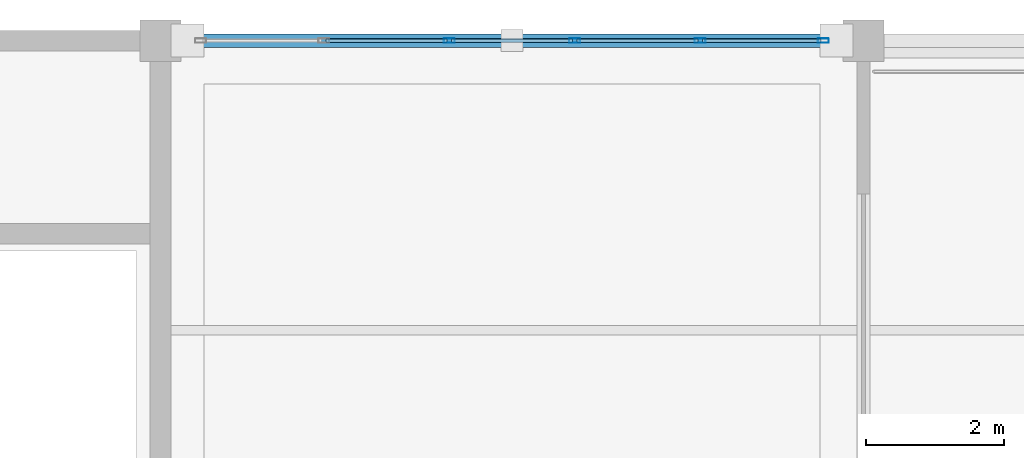
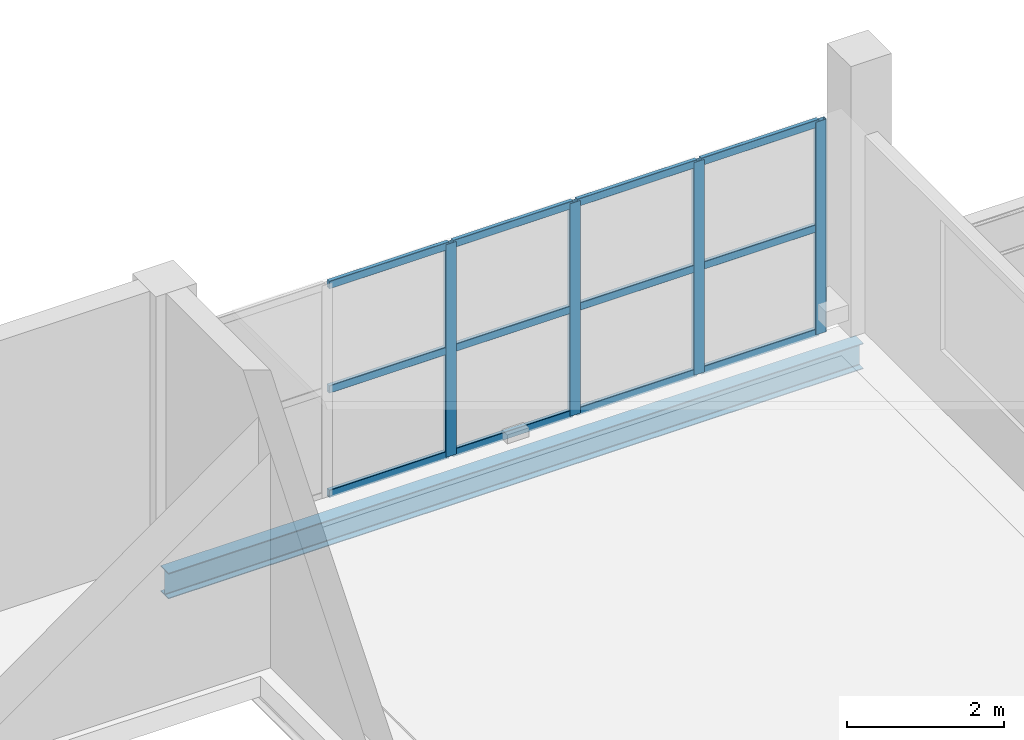
# One storey, part 8 of 12: 16 members, 1 beam, 1 element without a shape of its own.
"""IFC4 building model written with IfcOpenShell, lengths in metres."""

import ifcopenshell
import ifcopenshell.guid

model = None  # the IFC model being written
_history = None  # IfcOwnerHistory: only IFC2X3 demands one
_inside = {}  # id of a spatial element -> (the spatial element, [elements in it])
_under = {}  # id of a project, library or spatial element -> (it, [spatial elements below it])
_declared = {}  # id of a project -> (the project, [libraries it declares])
_typed = {}  # id of a type object -> (the type object, [elements of that type])
_made_of = {}  # id of a material, layer set ... -> (it, [elements and type objects made of it])


def new_model(schema):
    """Start an empty IFC model of exactly this schema.

    Asked for "IFC4X3", IfcOpenShell would pick the latest addendum, in which some entities
    have other attributes; the version numbers below select the first issue.
    IFC2X3 requires an IfcOwnerHistory on every rooted entity: one is made here for all.
    """
    global model, _history
    if schema == "IFC4X3":
        model = ifcopenshell.file(schema_version=(4, 3, 0, 0))
    else:
        model = ifcopenshell.file(schema=schema)
    _inside.clear()
    _under.clear()
    _declared.clear()
    _typed.clear()
    _made_of.clear()
    _history = None
    if model.schema == "IFC2X3":
        org = make("IfcOrganization", Name="unknown")
        user = make(
            "IfcPersonAndOrganization",
            ThePerson=make("IfcPerson", FamilyName="unknown"),
            TheOrganization=org,
        )
        app = make(
            "IfcApplication",
            ApplicationDeveloper=org,
            Version="unknown",
            ApplicationFullName="unknown",
            ApplicationIdentifier="unknown",
        )
        _history = make(
            "IfcOwnerHistory",
            OwningUser=user,
            OwningApplication=app,
            ChangeAction="ADDED",
            CreationDate=0,
        )
    return model


def make(cls, **values):
    """One entity of the class cls with the attributes given. An attribute that is None is left unset."""
    return model.create_entity(
        cls, **{name: value for name, value in values.items() if value is not None}
    )


def rooted(cls, **values):
    """An entity with a GlobalId (a new one), such as an element, a storey or a relation."""
    return make(cls, GlobalId=ifcopenshell.guid.new(), OwnerHistory=_history, **values)


def si_unit(unit_type, name, prefix=None):
    """IfcSIUnit, for example si_unit("LENGTHUNIT", "METRE", prefix="MILLI")."""
    return make("IfcSIUnit", UnitType=unit_type, Prefix=prefix, Name=name)


def assignment(units):
    """IfcUnitAssignment: the units of a project."""
    return None if units is None else make("IfcUnitAssignment", Units=units)


def point(xyz):
    """IfcCartesianPoint."""
    return None if xyz is None else make("IfcCartesianPoint", Coordinates=xyz)


def direction(xyz):
    """IfcDirection."""
    return None if xyz is None else make("IfcDirection", DirectionRatios=xyz)


def frame(location, z_axis=None, x_axis=None):
    """IfcAxis2Placement3D, a coordinate frame: its origin and axes. An axis left out is left unset."""
    return make(
        "IfcAxis2Placement3D",
        Location=point(location),
        Axis=direction(z_axis),
        RefDirection=direction(x_axis),
    )


def frame_2d(location, x_axis=None):
    """IfcAxis2Placement2D, a coordinate frame in the plane: its origin and x axis."""
    return make(
        "IfcAxis2Placement2D", Location=point(location), RefDirection=direction(x_axis)
    )


def origin():
    """The frame at (0, 0, 0) with its axes left unset."""
    return frame((0.0, 0.0, 0.0))


def origin_2d():
    """The frame at (0, 0) in the plane with its x axis left unset."""
    return frame_2d((0.0, 0.0))


def place(relative_to, where):
    """IfcLocalPlacement: puts the frame where relative to a parent placement (None: the world)."""
    return make(
        "IfcLocalPlacement", PlacementRelTo=relative_to, RelativePlacement=where
    )


def context(
    kind, dimensions, precision=None, world=None, true_north=None, identifier=None
):
    """IfcGeometricRepresentationContext, for example the 3D "Model" context."""
    return make(
        "IfcGeometricRepresentationContext",
        ContextIdentifier=identifier,
        ContextType=kind,
        CoordinateSpaceDimension=dimensions,
        Precision=precision,
        WorldCoordinateSystem=world,
        TrueNorth=true_north,
    )


def subcontext(parent, identifier, kind, view, scale=None):
    """IfcGeometricRepresentationSubContext, for example "Body" below "Model"."""
    return make(
        "IfcGeometricRepresentationSubContext",
        ContextIdentifier=identifier,
        ContextType=kind,
        ParentContext=parent,
        TargetScale=scale,
        TargetView=view,
    )


def project(units=None, contexts=None):
    """IfcProject with its units and contexts."""
    return rooted(
        "IfcProject",
        Name="project",
        RepresentationContexts=contexts,
        UnitsInContext=assignment(units),
    )


def spatial(cls, under=None, at=None, **own):
    """A site, building, storey or space (cls), placed at a placement, below another one or the project."""
    s = rooted(cls, ObjectPlacement=at, **own)
    if under is not None:
        _under.setdefault(under.id(), (under, []))[1].append(s)
    return s


def profile(cls, at=None, kind="AREA", **sizes):
    """A parametric profile (cls). Its sizes go by their IFC names, for example OverallWidth=200.0."""
    return make(cls, ProfileType=kind, Position=at, **sizes)


def hollow_rectangle(**sizes):
    """IfcRectangleHollowProfileDef."""
    return profile("IfcRectangleHollowProfileDef", **sizes)


def i_section(**sizes):
    """IfcIShapeProfileDef."""
    return profile("IfcIShapeProfileDef", **sizes)


def extrude(swept, where, along, depth):
    """IfcExtrudedAreaSolid: the profile swept, set in the frame where, extruded along a direction by depth."""
    return make(
        "IfcExtrudedAreaSolid",
        SweptArea=swept,
        Position=where,
        ExtrudedDirection=direction(along),
        Depth=depth,
    )


def shape(context_of_items, identifier, shape_type, items):
    """IfcShapeRepresentation: the items that make up one representation, for example the "Body"."""
    return make(
        "IfcShapeRepresentation",
        ContextOfItems=context_of_items,
        RepresentationIdentifier=identifier,
        RepresentationType=shape_type,
        Items=items,
    )


def material(Name=None, Category=None):
    """IfcMaterial."""
    return make("IfcMaterial", Name=Name, Category=Category)


def material_profile(
    of_material, cross_section, Name=None, Category=None, Priority=None
):
    """IfcMaterialProfile: a cross section and its material."""
    return make(
        "IfcMaterialProfile",
        Name=Name,
        Material=of_material,
        Profile=cross_section,
        Priority=Priority,
        Category=Category,
    )


def profile_set(profiles, Name=None, composite=None):
    """IfcMaterialProfileSet."""
    return make(
        "IfcMaterialProfileSet",
        Name=Name,
        MaterialProfiles=profiles,
        CompositeProfile=composite,
    )


def made_of(thing, what):
    """Note that an element or type object is made of a material, layer set ...; save() writes the relation."""
    if what is not None:
        _made_of.setdefault(what.id(), (what, []))[1].append(thing)
    return thing


def type_object(cls, material=None, **own):
    """A type object (cls), such as IfcWallType, which elements share."""
    return made_of(rooted(cls, **own), material)


def element(
    cls,
    number,
    at=None,
    inside=None,
    cuts=None,
    type_object=None,
    material=None,
    context=None,
    identifier="Body",
    shape_type=None,
    held_by="IfcProductDefinitionShape",
    body=None,
    shapes=None,
    **own,
):
    """One element of the class cls, such as IfcWall. Its Tag is "e" and its number.

    at: its placement. inside: the storey or other place that contains it. cuts: it is an
    opening in that element (IfcRelVoidsElement). A single representation is given by context,
    identifier, shape_type and body (its items); several are given by shapes. held_by: the class
    of the entity that holds the representations. save() writes the other relations.
    """
    e = rooted(cls, Tag="e%d" % number, ObjectPlacement=at, **own)
    if body is not None:
        shapes = [shape(context, identifier, shape_type, body)]
    if shapes is not None:
        e.Representation = make(held_by, Representations=shapes)
    if inside is not None:
        _inside.setdefault(inside.id(), (inside, []))[1].append(e)
    if cuts is not None:
        rooted(
            "IfcRelVoidsElement", RelatingBuildingElement=cuts, RelatedOpeningElement=e
        )
    if type_object is not None:
        _typed.setdefault(type_object.id(), (type_object, []))[1].append(e)
    return made_of(e, material)


def aggregate(whole, parts):
    """IfcRelAggregates: a whole, such as a stair, and the parts it consists of."""
    return rooted("IfcRelAggregates", RelatingObject=whole, RelatedObjects=parts)


def save(model, path):
    """Write the relations noted so far, then the file.

    IfcRelAggregates (storeys below a building ...), IfcRelContainedInSpatialStructure (elements
    in a storey), IfcRelDefinesByType, IfcRelAssociatesMaterial and IfcRelDeclares: one each for
    every whole, place, type object, material and project.
    """
    for whole, parts in _under.values():
        aggregate(whole, parts)
    for where, things in _inside.values():
        rooted(
            "IfcRelContainedInSpatialStructure",
            RelatedElements=things,
            RelatingStructure=where,
        )
    for kind, things in _typed.values():
        rooted("IfcRelDefinesByType", RelatedObjects=things, RelatingType=kind)
    for what, things in _made_of.values():
        rooted("IfcRelAssociatesMaterial", RelatedObjects=things, RelatingMaterial=what)
    for by, libraries in _declared.values():
        rooted("IfcRelDeclares", RelatingContext=by, RelatedDefinitions=libraries)
    model.write(path)


model = new_model("IFC4")

# Units and contexts
model_context = context("Model", 3, precision=1e-05, world=origin(), true_north=direction((0.0, 1.0)))
body_context = subcontext(model_context, "Body", "Model", "MODEL_VIEW")
ifc_project = project(units=[si_unit("LENGTHUNIT", "METRE"), si_unit("AREAUNIT", "SQUARE_METRE"), si_unit("VOLUMEUNIT", "CUBIC_METRE"), si_unit("PLANEANGLEUNIT", "RADIAN"), si_unit("MASSUNIT", "GRAM", prefix="KILO")], contexts=[model_context])

# Site, building, storey
site_placement = place(None, origin())
site = spatial("IfcSite", under=ifc_project, at=site_placement, CompositionType="ELEMENT")
building_placement = place(site_placement, origin())
building = spatial("IfcBuilding", under=site, at=building_placement, Name="Brelvane Convention Centre", CompositionType="ELEMENT")
storey_placement = place(building_placement, frame((0.0, 0.0, 23.39990234375)))
storey = spatial("IfcBuildingStorey", under=building, at=storey_placement, Name="L05", CompositionType="ELEMENT", Elevation=23.39990234375)

# Curtain wall, members
ifc_material_1 = material(Name="Anodised Aluminium Alloy 6063-T6", Category="aluminium")
curtain_wall_type = type_object("IfcCurtainWallType", Name="Curtain Wall CW-BOUL", PredefinedType="USERDEFINED", material=ifc_material_1)
curtain_wall_placement = place(storey_placement, origin())
curtain_wall = element("IfcCurtainWall", 1, at=curtain_wall_placement, inside=storey, type_object=curtain_wall_type, Name="Curtain Wall CW-BOUL L05-V4N-04", ObjectType="UNITISED", PredefinedType="USERDEFINED")
ifc_material_2 = material(Name="Anodised Aluminium Alloy 6063-T6", Category="aluminium")
ifc_material_profile_1 = material_profile(ifc_material_2, hollow_rectangle(XDim=0.06494140625, YDim=0.159912109375, WallThickness=0.00390625, InnerFilletRadius=0.00390625, OuterFilletRadius=0.008056640625, at=origin_2d()), Name="ALU-M 160x65x4.0")
ifc_profile_set_1 = profile_set([ifc_material_profile_1], Name="Anodised Aluminium Alloy 6063-T6")
member_type_1 = type_object("IfcMemberType", Name="Curtain Mullion CW-M3", PredefinedType="MULLION", material=ifc_profile_set_1)
member_1_placement = place(storey_placement, frame((34.7900390625, 144.0, 0.0), z_axis=(0.0, 0.0, 1.0), x_axis=(0.0, 1.0, 0.0)))
member_1 = element("IfcMember", 2, at=member_1_placement, type_object=member_type_1, Name="CW-BOUL mullion 3", PredefinedType="MULLION", context=body_context, shape_type="SweptSolid", body=[
    extrude(hollow_rectangle(XDim=0.06494140625, YDim=0.159912109375, WallThickness=0.00390625, InnerFilletRadius=0.00390625, OuterFilletRadius=0.008056640625, at=origin_2d()), origin(), (0.0, 0.0, 1.0), 3.300048828125),
])
member_2_placement = place(storey_placement, frame((36.610107421875, 144.0, 0.0), z_axis=(0.0, 0.0, 1.0), x_axis=(0.0, 1.0, 0.0)))
member_2 = element("IfcMember", 3, at=member_2_placement, type_object=member_type_1, Name="CW-BOUL mullion 4", PredefinedType="MULLION", context=body_context, shape_type="SweptSolid", body=[
    extrude(hollow_rectangle(XDim=0.06494140625, YDim=0.159912109375, WallThickness=0.00390625, InnerFilletRadius=0.00390625, OuterFilletRadius=0.008056640625, at=origin_2d()), origin(), (0.0, 0.0, 1.0), 3.300048828125),
])
member_3_placement = place(storey_placement, frame((38.429931640625, 144.0, 0.0), z_axis=(0.0, 0.0, 1.0), x_axis=(0.0, 1.0, 0.0)))
member_3 = element("IfcMember", 4, at=member_3_placement, type_object=member_type_1, Name="CW-BOUL mullion 5", PredefinedType="MULLION", context=body_context, shape_type="SweptSolid", body=[
    extrude(hollow_rectangle(XDim=0.06494140625, YDim=0.159912109375, WallThickness=0.00390625, InnerFilletRadius=0.00390625, OuterFilletRadius=0.008056640625, at=origin_2d()), origin(), (0.0, 0.0, 1.0), 3.300048828125),
])
member_4_placement = place(storey_placement, frame((40.217529296875, 144.0, 0.0), z_axis=(0.0, 0.0, 1.0), x_axis=(0.0, 1.0, 0.0)))
member_4 = element("IfcMember", 5, at=member_4_placement, type_object=member_type_1, Name="CW-BOUL mullion 6", PredefinedType="MULLION", context=body_context, shape_type="SweptSolid", body=[
    extrude(hollow_rectangle(XDim=0.06494140625, YDim=0.159912109375, WallThickness=0.00390625, InnerFilletRadius=0.00390625, OuterFilletRadius=0.008056640625, at=origin_2d()), origin(), (0.0, 0.0, 1.0), 3.300048828125),
])
ifc_material_3 = material(Name="Anodised Aluminium Alloy 6063-T6", Category="aluminium")
ifc_material_profile_2 = material_profile(ifc_material_3, hollow_rectangle(XDim=0.06005859375, YDim=0.1201171875, WallThickness=0.00390625, InnerFilletRadius=0.00390625, OuterFilletRadius=0.008056640625, at=origin_2d()), Name="ALU-T 120x60x4.0")
ifc_profile_set_2 = profile_set([ifc_material_profile_2], Name="Anodised Aluminium Alloy 6063-T6")
member_type_2 = type_object("IfcMemberType", Name="Curtain Transom CW-T3", PredefinedType="USERDEFINED", material=ifc_profile_set_2)
member_5_placement = place(storey_placement, frame((33.00244140625, 144.0, 0.030029296875), z_axis=(1.0, 0.0, 0.0), x_axis=(0.0, 1.0, 0.0)))
member_5 = element("IfcMember", 6, at=member_5_placement, type_object=member_type_2, Name="CW-BOUL transom 2.1", ObjectType="TRANSOM", PredefinedType="USERDEFINED", context=body_context, shape_type="SweptSolid", body=[
    extrude(hollow_rectangle(XDim=0.06005859375, YDim=0.1201171875, WallThickness=0.00390625, InnerFilletRadius=0.00390625, OuterFilletRadius=0.008056640625, at=origin_2d()), origin(), (0.0, 0.0, 1.0), 1.755126953125),
])
member_6_placement = place(storey_placement, frame((33.00244140625, 144.0, 1.650146484375), z_axis=(1.0, 0.0, 0.0), x_axis=(0.0, 1.0, 0.0)))
member_6 = element("IfcMember", 7, at=member_6_placement, type_object=member_type_2, Name="CW-BOUL transom 2.2", ObjectType="TRANSOM", PredefinedType="USERDEFINED", context=body_context, shape_type="SweptSolid", body=[
    extrude(hollow_rectangle(XDim=0.06005859375, YDim=0.1201171875, WallThickness=0.00390625, InnerFilletRadius=0.00390625, OuterFilletRadius=0.008056640625, at=origin_2d()), origin(), (0.0, 0.0, 1.0), 1.755126953125),
])
member_7_placement = place(storey_placement, frame((33.00244140625, 144.0, 3.27001953125), z_axis=(1.0, 0.0, 0.0), x_axis=(0.0, 1.0, 0.0)))
member_7 = element("IfcMember", 8, at=member_7_placement, type_object=member_type_2, Name="CW-BOUL transom 2.3", ObjectType="TRANSOM", PredefinedType="USERDEFINED", context=body_context, shape_type="SweptSolid", body=[
    extrude(hollow_rectangle(XDim=0.06005859375, YDim=0.1201171875, WallThickness=0.00390625, InnerFilletRadius=0.00390625, OuterFilletRadius=0.008056640625, at=origin_2d()), origin(), (0.0, 0.0, 1.0), 1.755126953125),
])
member_8_placement = place(storey_placement, frame((34.822509765625, 144.0, 0.030029296875), z_axis=(1.0, 0.0, 0.0), x_axis=(0.0, 1.0, 0.0)))
member_8 = element("IfcMember", 9, at=member_8_placement, type_object=member_type_2, Name="CW-BOUL transom 3.1", ObjectType="TRANSOM", PredefinedType="USERDEFINED", context=body_context, shape_type="SweptSolid", body=[
    extrude(hollow_rectangle(XDim=0.06005859375, YDim=0.1201171875, WallThickness=0.00390625, InnerFilletRadius=0.00390625, OuterFilletRadius=0.008056640625, at=origin_2d()), origin(), (0.0, 0.0, 1.0), 1.7548828125),
])
member_9_placement = place(storey_placement, frame((34.822509765625, 144.0, 1.650146484375), z_axis=(1.0, 0.0, 0.0), x_axis=(0.0, 1.0, 0.0)))
member_9 = element("IfcMember", 10, at=member_9_placement, type_object=member_type_2, Name="CW-BOUL transom 3.2", ObjectType="TRANSOM", PredefinedType="USERDEFINED", context=body_context, shape_type="SweptSolid", body=[
    extrude(hollow_rectangle(XDim=0.06005859375, YDim=0.1201171875, WallThickness=0.00390625, InnerFilletRadius=0.00390625, OuterFilletRadius=0.008056640625, at=origin_2d()), origin(), (0.0, 0.0, 1.0), 1.7548828125),
])
member_10_placement = place(storey_placement, frame((34.822509765625, 144.0, 3.27001953125), z_axis=(1.0, 0.0, 0.0), x_axis=(0.0, 1.0, 0.0)))
member_10 = element("IfcMember", 11, at=member_10_placement, type_object=member_type_2, Name="CW-BOUL transom 3.3", ObjectType="TRANSOM", PredefinedType="USERDEFINED", context=body_context, shape_type="SweptSolid", body=[
    extrude(hollow_rectangle(XDim=0.06005859375, YDim=0.1201171875, WallThickness=0.00390625, InnerFilletRadius=0.00390625, OuterFilletRadius=0.008056640625, at=origin_2d()), origin(), (0.0, 0.0, 1.0), 1.7548828125),
])
member_11_placement = place(storey_placement, frame((36.642578125, 144.0, 0.030029296875), z_axis=(1.0, 0.0, 0.0), x_axis=(0.0, 1.0, 0.0)))
member_11 = element("IfcMember", 12, at=member_11_placement, type_object=member_type_2, Name="CW-BOUL transom 4.1", ObjectType="TRANSOM", PredefinedType="USERDEFINED", context=body_context, shape_type="SweptSolid", body=[
    extrude(hollow_rectangle(XDim=0.06005859375, YDim=0.1201171875, WallThickness=0.00390625, InnerFilletRadius=0.00390625, OuterFilletRadius=0.008056640625, at=origin_2d()), origin(), (0.0, 0.0, 1.0), 1.7548828125),
])
member_12_placement = place(storey_placement, frame((36.642578125, 144.0, 1.650146484375), z_axis=(1.0, 0.0, 0.0), x_axis=(0.0, 1.0, 0.0)))
member_12 = element("IfcMember", 13, at=member_12_placement, type_object=member_type_2, Name="CW-BOUL transom 4.2", ObjectType="TRANSOM", PredefinedType="USERDEFINED", context=body_context, shape_type="SweptSolid", body=[
    extrude(hollow_rectangle(XDim=0.06005859375, YDim=0.1201171875, WallThickness=0.00390625, InnerFilletRadius=0.00390625, OuterFilletRadius=0.008056640625, at=origin_2d()), origin(), (0.0, 0.0, 1.0), 1.7548828125),
])
member_13_placement = place(storey_placement, frame((36.642578125, 144.0, 3.27001953125), z_axis=(1.0, 0.0, 0.0), x_axis=(0.0, 1.0, 0.0)))
member_13 = element("IfcMember", 14, at=member_13_placement, type_object=member_type_2, Name="CW-BOUL transom 4.3", ObjectType="TRANSOM", PredefinedType="USERDEFINED", context=body_context, shape_type="SweptSolid", body=[
    extrude(hollow_rectangle(XDim=0.06005859375, YDim=0.1201171875, WallThickness=0.00390625, InnerFilletRadius=0.00390625, OuterFilletRadius=0.008056640625, at=origin_2d()), origin(), (0.0, 0.0, 1.0), 1.7548828125),
])
member_14_placement = place(storey_placement, frame((38.46240234375, 144.0, 0.030029296875), z_axis=(1.0, 0.0, 0.0), x_axis=(0.0, 1.0, 0.0)))
member_14 = element("IfcMember", 15, at=member_14_placement, type_object=member_type_2, Name="CW-BOUL transom 5.1", ObjectType="TRANSOM", PredefinedType="USERDEFINED", context=body_context, shape_type="SweptSolid", body=[
    extrude(hollow_rectangle(XDim=0.06005859375, YDim=0.1201171875, WallThickness=0.00390625, InnerFilletRadius=0.00390625, OuterFilletRadius=0.008056640625, at=origin_2d()), origin(), (0.0, 0.0, 1.0), 1.72265625),
])
member_15_placement = place(storey_placement, frame((38.46240234375, 144.0, 1.650146484375), z_axis=(1.0, 0.0, 0.0), x_axis=(0.0, 1.0, 0.0)))
member_15 = element("IfcMember", 16, at=member_15_placement, type_object=member_type_2, Name="CW-BOUL transom 5.2", ObjectType="TRANSOM", PredefinedType="USERDEFINED", context=body_context, shape_type="SweptSolid", body=[
    extrude(hollow_rectangle(XDim=0.06005859375, YDim=0.1201171875, WallThickness=0.00390625, InnerFilletRadius=0.00390625, OuterFilletRadius=0.008056640625, at=origin_2d()), origin(), (0.0, 0.0, 1.0), 1.72265625),
])
member_16_placement = place(storey_placement, frame((38.46240234375, 144.0, 3.27001953125), z_axis=(1.0, 0.0, 0.0), x_axis=(0.0, 1.0, 0.0)))
member_16 = element("IfcMember", 17, at=member_16_placement, type_object=member_type_2, Name="CW-BOUL transom 5.3", ObjectType="TRANSOM", PredefinedType="USERDEFINED", context=body_context, shape_type="SweptSolid", body=[
    extrude(hollow_rectangle(XDim=0.06005859375, YDim=0.1201171875, WallThickness=0.00390625, InnerFilletRadius=0.00390625, OuterFilletRadius=0.008056640625, at=origin_2d()), origin(), (0.0, 0.0, 1.0), 1.72265625),
])
aggregate(curtain_wall, [member_1, member_2, member_3, member_4, member_5, member_6, member_7, member_8, member_9, member_10, member_11, member_12, member_13, member_14, member_15, member_16])

# Beam
ifc_material_4 = material(Name="Steel E350 (350 MPa)", Category="steel")
ifc_material_profile_3 = material_profile(ifc_material_4, i_section(OverallWidth=0.199951171875, OverallDepth=0.39990234375, WebThickness=0.008544921875, FlangeThickness=0.012939453125, FilletRadius=0.013916015625, at=origin_2d()), Name="ISWB 400")
ifc_profile_set_3 = profile_set([ifc_material_profile_3], Name="Steel E350 (350 MPa)")
beam_type = type_object("IfcBeamType", Name="Steel Spandrel SP-ST2 (ISWB 400)", PredefinedType="SPANDREL", material=ifc_profile_set_3)
beam_placement = place(storey_placement, frame((30.60009765625, 144.0, -0.514892578125), z_axis=(1.0, 0.0, 0.0), x_axis=(0.0, 1.0, 0.0)))
element("IfcBeam", 18, at=beam_placement, inside=storey, type_object=beam_type, Name="L05 Beam 4-5/Q", PredefinedType="SPANDREL", context=body_context, shape_type="SweptSolid", body=[
    extrude(i_section(OverallWidth=0.199951171875, OverallDepth=0.39990234375, WebThickness=0.008544921875, FlangeThickness=0.012939453125, FilletRadius=0.013916015625, at=origin_2d()), origin(), (0.0, 0.0, 1.0), 10.199951171875),
])

save(model, "model.ifc")
